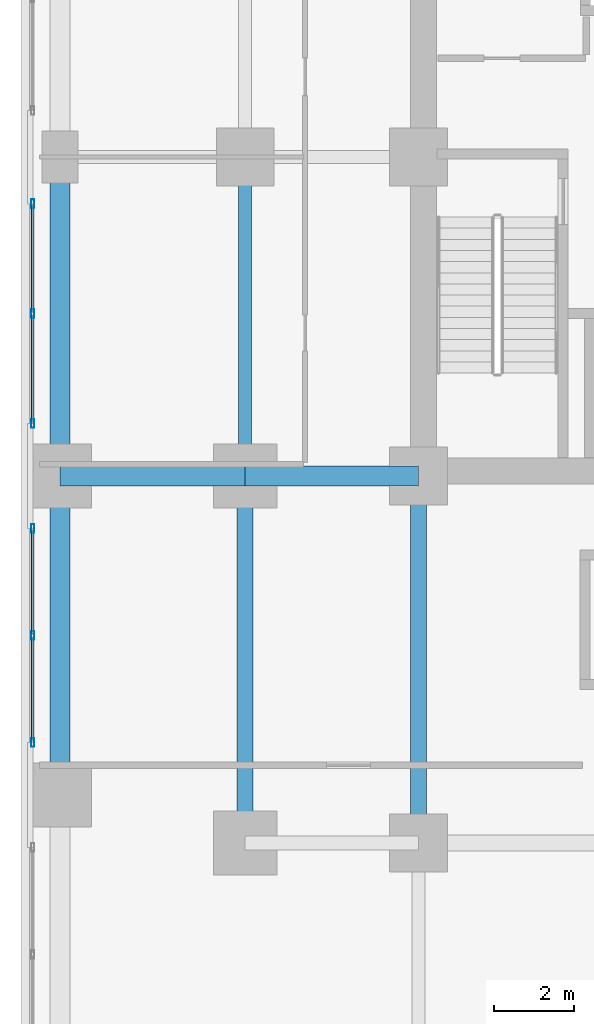
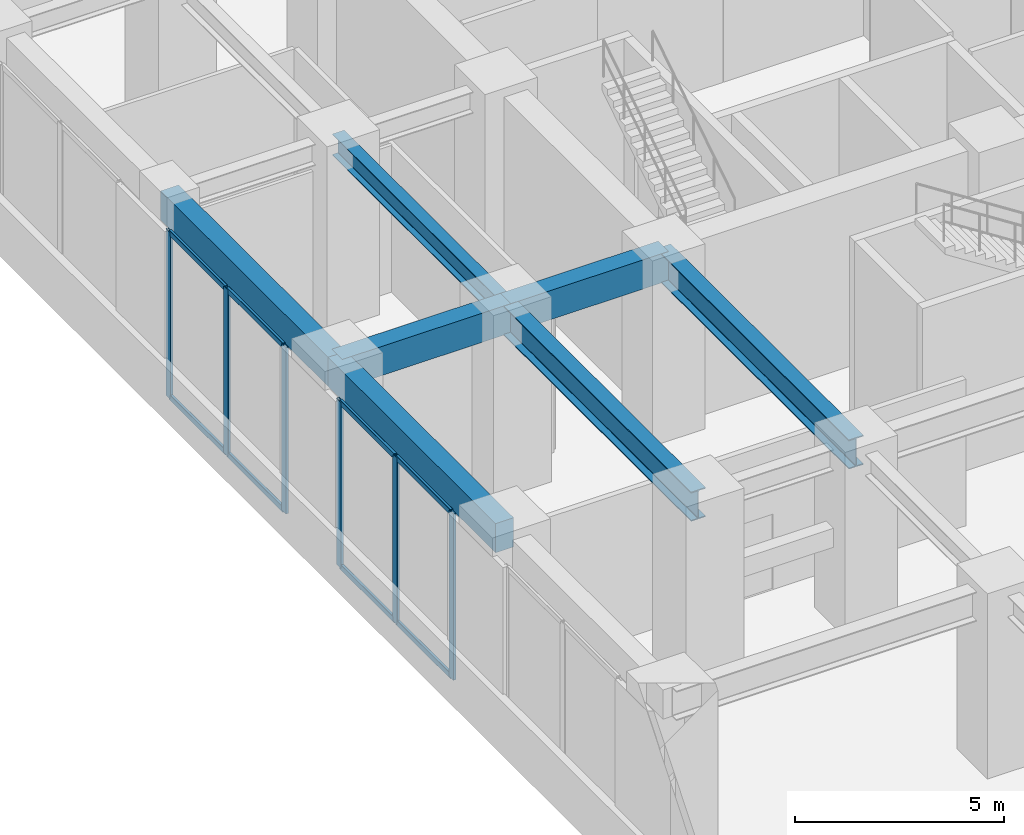
# One storey, part 7 of 33: 14 members, 7 beams, 2 elements without a shape of their own.
"""IFC4 building model written with IfcOpenShell, lengths in metres."""

from ifc_helpers import new_model, si_unit, direction, frame, origin, origin_2d, place, context, subcontext, project, spatial, rectangle, hollow_rectangle, i_section, extrude, source, transform, mapped, material, material_profile, profile_set, type_object, element, aggregate, save


model = new_model("IFC4")

# Units and contexts
model_context = context("Model", 3, precision=1e-05, world=origin(), true_north=direction((0.0, 1.0)))
body_context = subcontext(model_context, "Body", "Model", "MODEL_VIEW")
ifc_project = project(units=[si_unit("LENGTHUNIT", "METRE"), si_unit("AREAUNIT", "SQUARE_METRE"), si_unit("VOLUMEUNIT", "CUBIC_METRE"), si_unit("PLANEANGLEUNIT", "RADIAN"), si_unit("MASSUNIT", "GRAM", prefix="KILO")], contexts=[model_context])

# Site, building, storey
site_placement = place(None, origin())
site = spatial("IfcSite", under=ifc_project, at=site_placement, CompositionType="ELEMENT")
building_placement = place(site_placement, origin())
building = spatial("IfcBuilding", under=site, at=building_placement, Name="Torre Montelarca", CompositionType="ELEMENT")
storey_placement = place(building_placement, frame((0.0, 0.0, 12.0)))
storey = spatial("IfcBuildingStorey", under=building, at=storey_placement, Name="L03", CompositionType="ELEMENT", Elevation=12.0)

# Beams
ifc_material_1 = material(Name="Concrete C55/67", Category="concrete")
ifc_material_profile_1 = material_profile(ifc_material_1, rectangle(XDim=0.5, YDim=0.85009765625, at=origin_2d()), Name="RCB500X850", Category="concrete")
ifc_profile_set_1 = profile_set([ifc_material_profile_1], Name="Concrete C55/67")
beam_type_1 = type_object("IfcBeamType", Name="BM-SP-RC850-EXT", PredefinedType="SPANDREL", material=ifc_profile_set_1)
shared_shape_1 = source(origin(), body_context, "Body", "SweptSolid", [
    extrude(rectangle(XDim=0.5, YDim=0.85009765625, at=origin_2d()), origin(), (0.0, 0.0, 1.0), 4.64990234375),
])
beam_1_placement = place(storey_placement, frame((0.0, 24.0, 4.715087890625), z_axis=(1.0, 0.0, 0.0), x_axis=(0.0, 1.0, 0.0)))
element("IfcBeam", 1, at=beam_1_placement, inside=storey, type_object=beam_type_1, Name="L03 Grid Girder X 0.0-4.7 at Y=24.0", PredefinedType="SPANDREL", context=body_context, shape_type="MappedRepresentation", body=[
    mapped(shared_shape_1, transform((0.0, 0.0, 0.0), scale=1.0)),
])
shared_shape_2 = source(origin(), body_context, "Body", "SweptSolid", [
    extrude(rectangle(XDim=0.5, YDim=0.85009765625, at=origin_2d()), origin(), (0.0, 0.0, 1.0), 4.35009765625),
])
beam_2_placement = place(storey_placement, frame((4.64990234375, 24.0, 4.715087890625), z_axis=(1.0, 0.0, 0.0), x_axis=(0.0, 1.0, 0.0)))
element("IfcBeam", 2, at=beam_2_placement, inside=storey, type_object=beam_type_1, Name="L03 Grid Girder X 4.7-9.0 at Y=24.0", PredefinedType="SPANDREL", context=body_context, shape_type="MappedRepresentation", body=[
    mapped(shared_shape_2, transform((0.0, 0.0, 0.0), scale=1.0)),
])
shared_shape_3 = source(origin(), body_context, "Body", "SweptSolid", [
    extrude(rectangle(XDim=0.5, YDim=0.85009765625, at=origin_2d()), origin(), (0.0, 0.0, 1.0), 8.0),
])
for number, where, z_axis, x_axis, name in (
    (3, (0.0, 16.0, 4.715087890625), (0.0, 1.0, 0.0), (-1.0, 0.0, 0.0), "L03 Grid Girder Y 16.0-24.0 at X=0.0"),
    (4, (0.0, 24.0, 4.715087890625), (0.0, 1.0, 0.0), (-1.0, 0.0, 0.0), "L03 Grid Girder Y 24.0-32.0 at X=0.0"),
):
    element("IfcBeam", number, at=place(storey_placement, frame(where, z_axis=z_axis, x_axis=x_axis)), inside=storey, type_object=beam_type_1, Name=name, PredefinedType="SPANDREL", context=body_context, shape_type="MappedRepresentation", body=[
        mapped(shared_shape_3, transform((0.0, 0.0, 0.0), scale=1.0)),
    ])
ifc_material_2 = material(Name="Steel ASTM A992 Grade 50", Category="steel")
ifc_material_profile_2 = material_profile(ifc_material_2, i_section(OverallWidth=0.39990234375, OverallDepth=0.85498046875, WebThickness=0.018310546875, FlangeThickness=0.029296875, FilletRadius=0.02001953125, at=origin_2d()), Name="W840X299", Category="steel")
ifc_profile_set_2 = profile_set([ifc_material_profile_2], Name="Steel ASTM A992 Grade 50")
beam_type_2 = type_object("IfcBeamType", Name="BM-G-W840", PredefinedType="BEAM", material=ifc_profile_set_2)
shared_shape_4 = source(origin(), body_context, "Body", "SweptSolid", [
    extrude(i_section(OverallWidth=0.39990234375, OverallDepth=0.85498046875, WebThickness=0.018310546875, FlangeThickness=0.029296875, FilletRadius=0.02001953125, at=origin_2d()), origin(), (0.0, 0.0, 1.0), 9.199951171875),
])
for number, where, z_axis, x_axis, name in (
    (5, (4.64990234375, 14.800048828125, 4.7119140625), (0.0, 1.0, 0.0), (-1.0, 0.0, 0.0), "L03 Grid Girder Y 14.8-24.0 at X=4.7"),
    (6, (9.0, 14.800048828125, 4.7119140625), (0.0, 1.0, 0.0), (-1.0, 0.0, 0.0), "L03 Grid Girder Y 14.8-24.0 at X=9.0"),
):
    element("IfcBeam", number, at=place(storey_placement, frame(where, z_axis=z_axis, x_axis=x_axis)), inside=storey, type_object=beam_type_2, Name=name, PredefinedType="BEAM", context=body_context, shape_type="MappedRepresentation", body=[
        mapped(shared_shape_4, transform((0.0, 0.0, 0.0), scale=1.0)),
    ])
ifc_material_profile_3 = material_profile(ifc_material_2, i_section(OverallWidth=0.326904296875, OverallDepth=0.6220703125, WebThickness=0.015380859375, FlangeThickness=0.0244140625, FilletRadius=0.014892578125, at=origin_2d()), Name="W610X195", Category="steel")
ifc_profile_set_3 = profile_set([ifc_material_profile_3], Name="Steel ASTM A992 Grade 50")
beam_type_3 = type_object("IfcBeamType", Name="BM-G-W610H", PredefinedType="BEAM", material=ifc_profile_set_3)
shared_shape_5 = source(origin(), body_context, "Body", "SweptSolid", [
    extrude(i_section(OverallWidth=0.326904296875, OverallDepth=0.6220703125, WebThickness=0.015380859375, FlangeThickness=0.0244140625, FilletRadius=0.014892578125, at=origin_2d()), origin(), (0.0, 0.0, 1.0), 8.0),
])
beam_3_placement = place(storey_placement, frame((4.64990234375, 24.0, 4.8291015625), z_axis=(0.0, 1.0, 0.0), x_axis=(-1.0, 0.0, 0.0)))
element("IfcBeam", 7, at=beam_3_placement, inside=storey, type_object=beam_type_3, Name="L03 Grid Girder Y 24.0-32.0 at X=4.7", PredefinedType="BEAM", context=body_context, shape_type="MappedRepresentation", body=[
    mapped(shared_shape_5, transform((0.0, 0.0, 0.0), scale=1.0)),
])

# Curtain wall, members
ifc_material_3 = material(Name="Insulated low-E laminated glass", Category="glass")
curtain_wall_type = type_object("IfcCurtainWallType", Name="CW-SYS-POD2", PredefinedType="USERDEFINED", material=ifc_material_3)
curtain_wall_1_placement = place(storey_placement, origin())
curtain_wall_1 = element("IfcCurtainWall", 8, at=curtain_wall_1_placement, inside=storey, type_object=curtain_wall_type, Name="L03 Curtain Wall Run CW-T3-L03-E10-B3", ObjectType="UNITISED GLAZING", PredefinedType="USERDEFINED")
ifc_material_4 = material(Name="Anodised aluminium AA 6063-T6", Category="aluminium")
ifc_material_profile_4 = material_profile(ifc_material_4, hollow_rectangle(XDim=0.074951171875, YDim=0.159912109375, WallThickness=0.0048828125, InnerFilletRadius=0.0048828125, OuterFilletRadius=0.010009765625, at=origin_2d()), Name="ALU75X160X5", Category="aluminium")
ifc_profile_set_4 = profile_set([ifc_material_profile_4], Name="Anodised aluminium AA 6063-T6")
member_type_1 = type_object("IfcMemberType", Name="CWT-ALU160", PredefinedType="USERDEFINED", material=ifc_profile_set_4)
shared_shape_6 = source(origin(), body_context, "Body", "SweptSolid", [
    extrude(hollow_rectangle(XDim=0.074951171875, YDim=0.159912109375, WallThickness=0.0048828125, InnerFilletRadius=0.0048828125, OuterFilletRadius=0.010009765625, at=origin_2d()), origin(), (0.0, 0.0, 1.0), 2.607421875),
])
member_1_placement = place(storey_placement, frame((-0.679931640625, 22.64501953125, 0.03759765625), z_axis=(0.0, -1.0, 0.0), x_axis=(1.0, 0.0, 0.0)))
member_1 = element("IfcMember", 9, at=member_1_placement, type_object=member_type_1, Name="CW transom 1.1", ObjectType="TRANSOM", PredefinedType="USERDEFINED", context=body_context, shape_type="MappedRepresentation", body=[
    mapped(shared_shape_6, transform((0.0, 0.0, 0.0), scale=1.0)),
])
member_2_placement = place(storey_placement, frame((-0.679931640625, 22.64501953125, 4.8125), z_axis=(0.0, -1.0, 0.0), x_axis=(1.0, 0.0, 0.0)))
member_2 = element("IfcMember", 10, at=member_2_placement, type_object=member_type_1, Name="CW transom 1.2", ObjectType="TRANSOM", PredefinedType="USERDEFINED", context=body_context, shape_type="MappedRepresentation", body=[
    mapped(shared_shape_6, transform((0.0, 0.0, 0.0), scale=1.0)),
])
member_3_placement = place(storey_placement, frame((-0.679931640625, 19.96240234375, 0.03759765625), z_axis=(0.0, -1.0, 0.0), x_axis=(1.0, 0.0, 0.0)))
member_3 = element("IfcMember", 11, at=member_3_placement, type_object=member_type_1, Name="CW transom 2.1", ObjectType="TRANSOM", PredefinedType="USERDEFINED", context=body_context, shape_type="MappedRepresentation", body=[
    mapped(shared_shape_6, transform((0.0, 0.0, 0.0), scale=1.0)),
])
member_4_placement = place(storey_placement, frame((-0.679931640625, 19.96240234375, 4.8125), z_axis=(0.0, -1.0, 0.0), x_axis=(1.0, 0.0, 0.0)))
member_4 = element("IfcMember", 12, at=member_4_placement, type_object=member_type_1, Name="CW transom 2.2", ObjectType="TRANSOM", PredefinedType="USERDEFINED", context=body_context, shape_type="MappedRepresentation", body=[
    mapped(shared_shape_6, transform((0.0, 0.0, 0.0), scale=1.0)),
])

curtain_wall_2_placement = place(storey_placement, origin())
curtain_wall_2 = element("IfcCurtainWall", 13, at=curtain_wall_2_placement, inside=storey, type_object=curtain_wall_type, Name="L03 Curtain Wall Run CW-T3-L03-E10-B2", ObjectType="UNITISED GLAZING", PredefinedType="USERDEFINED")
shared_shape_7 = source(origin(), body_context, "Body", "SweptSolid", [
    extrude(hollow_rectangle(XDim=0.074951171875, YDim=0.159912109375, WallThickness=0.0048828125, InnerFilletRadius=0.0048828125, OuterFilletRadius=0.010009765625, at=origin_2d()), origin(), (0.0, 0.0, 1.0), 2.682373046875),
])
member_5_placement = place(storey_placement, frame((-0.679931640625, 30.794921875, 0.03759765625), z_axis=(0.0, -1.0, 0.0), x_axis=(1.0, 0.0, 0.0)))
member_5 = element("IfcMember", 14, at=member_5_placement, type_object=member_type_1, Name="CW transom 1.1", ObjectType="TRANSOM", PredefinedType="USERDEFINED", context=body_context, shape_type="MappedRepresentation", body=[
    mapped(shared_shape_7, transform((0.0, 0.0, 0.0), scale=1.0)),
])
member_6_placement = place(storey_placement, frame((-0.679931640625, 30.794921875, 4.8125), z_axis=(0.0, -1.0, 0.0), x_axis=(1.0, 0.0, 0.0)))
member_6 = element("IfcMember", 15, at=member_6_placement, type_object=member_type_1, Name="CW transom 1.2", ObjectType="TRANSOM", PredefinedType="USERDEFINED", context=body_context, shape_type="MappedRepresentation", body=[
    mapped(shared_shape_7, transform((0.0, 0.0, 0.0), scale=1.0)),
])
shared_shape_8 = source(origin(), body_context, "Body", "SweptSolid", [
    extrude(hollow_rectangle(XDim=0.074951171875, YDim=0.159912109375, WallThickness=0.0048828125, InnerFilletRadius=0.0048828125, OuterFilletRadius=0.010009765625, at=origin_2d()), origin(), (0.0, 0.0, 1.0), 2.6826171875),
])
member_7_placement = place(storey_placement, frame((-0.679931640625, 28.03759765625, 0.03759765625), z_axis=(0.0, -1.0, 0.0), x_axis=(1.0, 0.0, 0.0)))
member_7 = element("IfcMember", 16, at=member_7_placement, type_object=member_type_1, Name="CW transom 2.1", ObjectType="TRANSOM", PredefinedType="USERDEFINED", context=body_context, shape_type="MappedRepresentation", body=[
    mapped(shared_shape_8, transform((0.0, 0.0, 0.0), scale=1.0)),
])
member_8_placement = place(storey_placement, frame((-0.679931640625, 28.03759765625, 4.8125), z_axis=(0.0, -1.0, 0.0), x_axis=(1.0, 0.0, 0.0)))
member_8 = element("IfcMember", 17, at=member_8_placement, type_object=member_type_1, Name="CW transom 2.2", ObjectType="TRANSOM", PredefinedType="USERDEFINED", context=body_context, shape_type="MappedRepresentation", body=[
    mapped(shared_shape_8, transform((0.0, 0.0, 0.0), scale=1.0)),
])
ifc_material_profile_5 = material_profile(ifc_material_4, hollow_rectangle(XDim=0.074951171875, YDim=0.219970703125, WallThickness=0.0048828125, InnerFilletRadius=0.0048828125, OuterFilletRadius=0.010009765625, at=origin_2d()), Name="ALU75X220X5", Category="aluminium")
ifc_profile_set_5 = profile_set([ifc_material_profile_5], Name="Anodised aluminium AA 6063-T6")
member_type_2 = type_object("IfcMemberType", Name="CWM-ALU220", PredefinedType="MULLION", material=ifc_profile_set_5)
shared_shape_9 = source(origin(), body_context, "Body", "SweptSolid", [
    extrude(hollow_rectangle(XDim=0.074951171875, YDim=0.219970703125, WallThickness=0.0048828125, InnerFilletRadius=0.0048828125, OuterFilletRadius=0.010009765625, at=origin_2d()), origin(), (0.0, 0.0, 1.0), 4.85009765625),
])
member_9_placement = place(storey_placement, frame((-0.679931640625, 30.83251953125, 0.0), z_axis=(0.0, 0.0, 1.0), x_axis=(1.0, 0.0, 0.0)))
member_9 = element("IfcMember", 18, at=member_9_placement, type_object=member_type_2, Name="CW mullion 1", PredefinedType="MULLION", context=body_context, shape_type="MappedRepresentation", body=[
    mapped(shared_shape_9, transform((0.0, 0.0, 0.0), scale=1.0)),
])
member_10_placement = place(storey_placement, frame((-0.679931640625, 28.074951171875, 0.0), z_axis=(0.0, 0.0, 1.0), x_axis=(1.0, 0.0, 0.0)))
member_10 = element("IfcMember", 19, at=member_10_placement, type_object=member_type_2, Name="CW mullion 2", PredefinedType="MULLION", context=body_context, shape_type="MappedRepresentation", body=[
    mapped(shared_shape_9, transform((0.0, 0.0, 0.0), scale=1.0)),
])
member_11_placement = place(storey_placement, frame((-0.679931640625, 25.3173828125, 0.0), z_axis=(0.0, 0.0, 1.0), x_axis=(1.0, 0.0, 0.0)))
member_11 = element("IfcMember", 20, at=member_11_placement, type_object=member_type_2, Name="CW mullion 3", PredefinedType="MULLION", context=body_context, shape_type="MappedRepresentation", body=[
    mapped(shared_shape_9, transform((0.0, 0.0, 0.0), scale=1.0)),
])
aggregate(curtain_wall_2, [member_9, member_10, member_11, member_5, member_6, member_7, member_8])

# Member
member_12_placement = place(storey_placement, frame((-0.679931640625, 22.6826171875, 0.0), z_axis=(0.0, 0.0, 1.0), x_axis=(1.0, 0.0, 0.0)))
member_12 = element("IfcMember", 21, at=member_12_placement, type_object=member_type_2, Name="CW mullion 1", PredefinedType="MULLION", context=body_context, shape_type="MappedRepresentation", body=[
    mapped(shared_shape_9, transform((0.0, 0.0, 0.0), scale=1.0)),
])

member_13_placement = place(storey_placement, frame((-0.679931640625, 20.0, 0.0), z_axis=(0.0, 0.0, 1.0), x_axis=(1.0, 0.0, 0.0)))
member_13 = element("IfcMember", 22, at=member_13_placement, type_object=member_type_2, Name="CW mullion 2", PredefinedType="MULLION", context=body_context, shape_type="MappedRepresentation", body=[
    mapped(shared_shape_9, transform((0.0, 0.0, 0.0), scale=1.0)),
])

member_14_placement = place(storey_placement, frame((-0.679931640625, 17.3173828125, 0.0), z_axis=(0.0, 0.0, 1.0), x_axis=(1.0, 0.0, 0.0)))
member_14 = element("IfcMember", 23, at=member_14_placement, type_object=member_type_2, Name="CW mullion 3", PredefinedType="MULLION", context=body_context, shape_type="MappedRepresentation", body=[
    mapped(shared_shape_9, transform((0.0, 0.0, 0.0), scale=1.0)),
])

aggregate(curtain_wall_1, [member_12, member_13, member_14, member_1, member_2, member_3, member_4])

save(model, "model.ifc")
